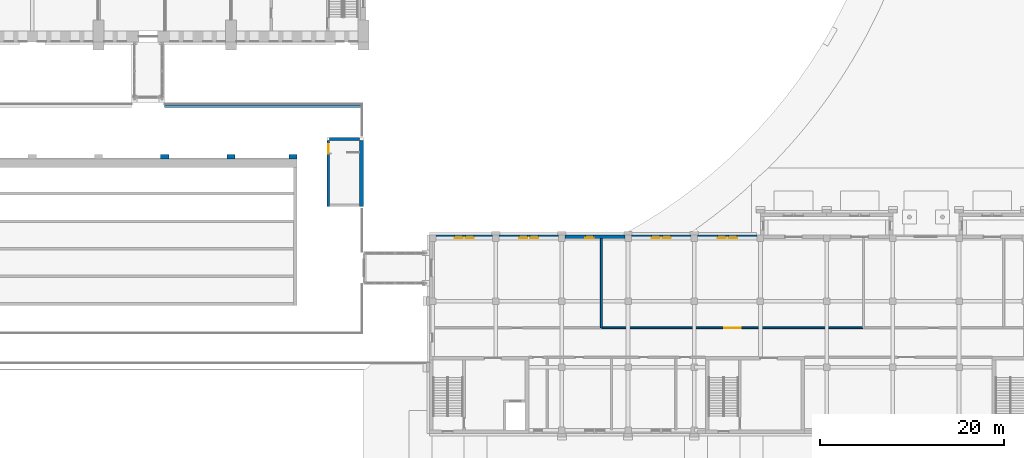
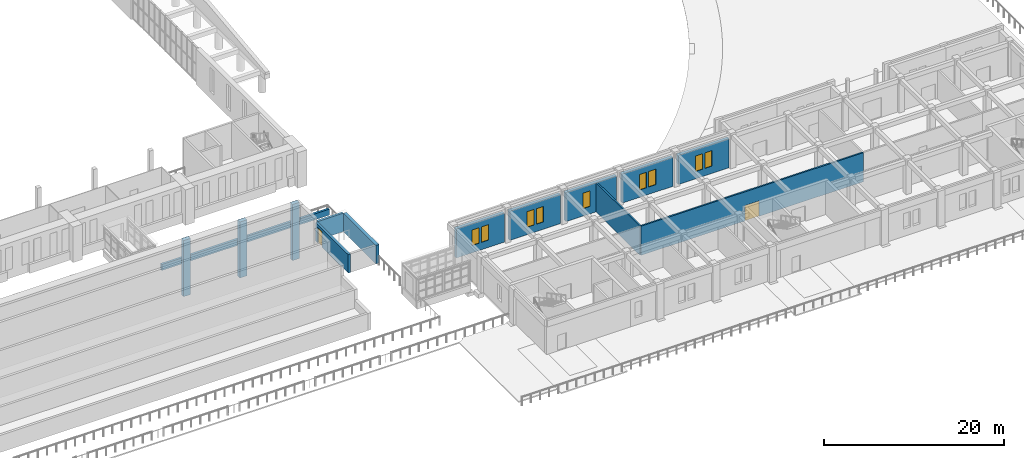
# One storey, part 90 of 131: 14 walls, 9 windows, 2 doors, 11 openings.
"""IFC4 building model written with IfcOpenShell, lengths in metres."""

from ifc_helpers import new_model, si_unit, direction, frame, frame_2d, origin, place, context, subcontext, project, spatial, rectangle, extrude, material, layer, layer_set, type_object, element, fill, save


model = new_model("IFC4")

# Units and contexts
model_context = context("Model", 3, precision=1e-05, world=origin(), true_north=direction((0.0, 1.0)))
body_context = subcontext(model_context, "Body", "Model", "MODEL_VIEW")
ifc_project = project(units=[si_unit("LENGTHUNIT", "METRE"), si_unit("AREAUNIT", "SQUARE_METRE"), si_unit("VOLUMEUNIT", "CUBIC_METRE"), si_unit("PLANEANGLEUNIT", "RADIAN"), si_unit("MASSUNIT", "GRAM", prefix="KILO")], contexts=[model_context])

# Site, building, storey
site_placement = place(None, origin())
site = spatial("IfcSite", under=ifc_project, at=site_placement, CompositionType="ELEMENT")
building_placement = place(site_placement, origin())
building = spatial("IfcBuilding", under=site, at=building_placement, Name="Alderwick Market Hall", CompositionType="ELEMENT")
storey_placement = place(building_placement, frame((0.0, 0.0, 4.800048828125)))
storey = spatial("IfcBuildingStorey", under=building, at=storey_placement, Name="L00", CompositionType="ELEMENT", Elevation=4.800048828125)

# Walls
ifc_material_1 = material(Name="Cast stone 5000 psi", Category="masonry")
ifc_layer_1 = layer(ifc_material_1, 0.300048828125)
ifc_layer_set_1 = layer_set([ifc_layer_1], Name="Cast stone 5000 psi")
wall_type_1 = type_object("IfcWallType", Name="A Cast Stone Balustrade Parapet 300", PredefinedType="SOLIDWALL", material=ifc_layer_set_1)
wall_1_placement = place(storey_placement, frame((129.60009765625, 42.800048828125, 0.0), z_axis=(0.0, 0.0, 1.0), x_axis=(1.0, 0.0, 0.0)))
element("IfcWall", 1, at=wall_1_placement, inside=storey, type_object=wall_type_1, Name="A.S.parapet.02", PredefinedType="SOLIDWALL", context=body_context, shape_type="SweptSolid", body=[
    extrude(rectangle(XDim=21.449951171875, YDim=0.300048828125, at=frame_2d((10.72509765625, 0.0))), origin(), (0.0, 0.0, 1.0), 0.800048828125),
])
ifc_material_2 = material(Name="Concrete 5000 psi (f'c 35 MPa)", Category="concrete")
ifc_layer_2 = layer(ifc_material_2, 0.89990234375)
ifc_layer_set_2 = layer_set([ifc_layer_2], Name="Concrete 5000 psi (f'c 35 MPa)")
wall_type_2 = type_object("IfcWallType", Name="A RC Bank Buttress 900", PredefinedType="SOLIDWALL", material=ifc_layer_set_2)
for number, where, z_axis, x_axis, name in (
    (2, (129.60009765625, 37.050048828125, 0.0), (0.0, 0.0, 1.0), (0.0, 1.0, 0.0), "Bank buttress"),
    (3, (136.800048828125, 37.050048828125, 0.0), (0.0, 0.0, 1.0), (0.0, 1.0, 0.0), "Bank buttress"),
    (4, (143.550048828125, 37.050048828125, 0.0), (0.0, 0.0, 1.0), (0.0, 1.0, 0.0), "Bank buttress"),
):
    element("IfcWall", number, at=place(storey_placement, frame(where, z_axis=z_axis, x_axis=x_axis)), inside=storey, type_object=wall_type_2, Name=name, PredefinedType="SOLIDWALL", context=body_context, shape_type="SweptSolid", body=[
        extrude(rectangle(XDim=0.5, YDim=0.89990234375, at=frame_2d((0.25, 0.0))), origin(), (0.0, 0.0, 1.0), 7.599853515625),
    ])
ifc_layer_3 = layer(ifc_material_2, 0.39990234375)
ifc_layer_set_3 = layer_set([ifc_layer_3], Name="Concrete 5000 psi (f'c 35 MPa)")
wall_type_3 = type_object("IfcWallType", Name="A RC Head-house End Wall 400", PredefinedType="SHEAR", material=ifc_layer_set_3)
wall_2_placement = place(storey_placement, frame((151.0, 39.10009765625, 0.0), z_axis=(0.0, 0.0, 1.0), x_axis=(0.0, -1.0, 0.0)))
element("IfcWall", 5, at=wall_2_placement, inside=storey, type_object=wall_type_3, Name="A.S.hh.E.out", PredefinedType="SHEAR", context=body_context, shape_type="SweptSolid", body=[
    extrude(rectangle(XDim=7.22021484375, YDim=0.39990234375, at=frame_2d((3.610107421875, 0.0))), origin(), (0.0, 0.0, 1.0), 2.5),
])

# Wall, opening, door
ifc_layer_4 = layer(ifc_material_2, 0.300048828125)
ifc_layer_set_4 = layer_set([ifc_layer_4], Name="Concrete 5000 psi (f'c 35 MPa)")
wall_type_4 = type_object("IfcWallType", Name="A RC Head-house Wall 300", PredefinedType="SHEAR", material=ifc_layer_set_4)
wall_3_placement = place(storey_placement, frame((147.39990234375, 39.10009765625, 0.0), z_axis=(0.0, 0.0, 1.0), x_axis=(0.0, -1.0, 0.0)))
wall_3 = element("IfcWall", 6, at=wall_3_placement, inside=storey, type_object=wall_type_4, Name="A.S.hh.E.in", PredefinedType="SHEAR", context=body_context, shape_type="SweptSolid", body=[
    extrude(rectangle(XDim=7.22021484375, YDim=0.300048828125, at=frame_2d((3.610107421875, 0.0))), origin(), (0.0, 0.0, 1.0), 2.5),
])
opening_1_placement = place(wall_3_placement, frame((0.449951171875, 0.0, 0.0)))
opening_1 = element("IfcOpeningElement", 7, at=opening_1_placement, cuts=wall_3, Name="Opening A-D098", PredefinedType="OPENING", context=body_context, shape_type="SweptSolid", body=[
    extrude(rectangle(XDim=1.0, YDim=2.10009765625, at=frame_2d((0.5, 1.050048828125))), frame((0.0, 0.159912109375, 0.0), z_axis=(0.0, -1.0, 0.0), x_axis=(1.0, 0.0, 0.0)), (0.0, 0.0, 1.0), 0.320068359375),
])
ifc_material_3 = material(Name="Hollow metal fire door and frame")
door_type_1 = type_object("IfcDoorType", Name="A Roof Access Door 1000x2100", OperationType="SINGLE_SWING_LEFT", PredefinedType="DOOR", material=ifc_material_3)
door_1_placement = place(opening_1_placement, origin())
door_1 = element("IfcDoor", 8, at=door_1_placement, inside=storey, type_object=door_type_1, Name="Roof stair head-house door", OperationType="SINGLE_SWING_RIGHT", OverallHeight=2.10009765625, OverallWidth=1.0, PredefinedType="DOOR", context=body_context, shape_type="SweptSolid", body=[
    extrude(rectangle(XDim=1.0, YDim=2.10009765625, at=frame_2d((0.5, 1.050048828125))), frame((0.0, 0.02490234375, 0.0), z_axis=(0.0, -1.0, 0.0), x_axis=(1.0, 0.0, 0.0)), (0.0, 0.0, 1.0), 0.050048828125),
])
fill(opening_1, door_1)

# Wall
wall_4_placement = place(storey_placement, frame((150.800048828125, 39.25, 0.0), z_axis=(0.0, 0.0, 1.0), x_axis=(-1.0, 0.0, 0.0)))
element("IfcWall", 9, at=wall_4_placement, inside=storey, type_object=wall_type_4, Name="A.S.hh.E.s", PredefinedType="SHEAR", context=body_context, shape_type="SweptSolid", body=[
    extrude(rectangle(XDim=3.25, YDim=0.300048828125, at=frame_2d((1.625, 0.0))), origin(), (0.0, 0.0, 1.0), 2.5),
])

# Wall, opening, door
ifc_material_4 = material(Name="Gypsum board on steel studs", Category="steel")
ifc_layer_5 = layer(ifc_material_4, 0.199951171875)
ifc_layer_set_5 = layer_set([ifc_layer_5], Name="Gypsum board on steel studs")
wall_type_5 = type_object("IfcWallType", Name="C Partition Wall 200", PredefinedType="PARTITIONING", material=ifc_layer_set_5)
wall_5_placement = place(storey_placement, frame((177.10009765625, 18.699951171875, 0.0), z_axis=(0.0, 0.0, 1.0), x_axis=(1.0, 0.0, 0.0)))
wall_5 = element("IfcWall", 10, at=wall_5_placement, inside=storey, type_object=wall_type_5, Name="C.wall.L00.part.002", PredefinedType="PARTITIONING", context=body_context, shape_type="SweptSolid", body=[
    extrude(rectangle(XDim=28.5, YDim=0.199951171875, at=frame_2d((14.25, 0.0))), origin(), (0.0, 0.0, 1.0), 3.949951171875),
])
opening_2_placement = place(wall_5_placement, frame((13.35009765625, 0.0, 0.0)))
opening_2 = element("IfcOpeningElement", 11, at=opening_2_placement, cuts=wall_5, Name="Opening C-D046", PredefinedType="OPENING", context=body_context, shape_type="SweptSolid", body=[
    extrude(rectangle(XDim=1.800048828125, YDim=2.10009765625, at=frame_2d((0.89990234375, 1.050048828125))), frame((0.0, 0.10986328125, 0.0), z_axis=(0.0, -1.0, 0.0), x_axis=(1.0, 0.0, 0.0)), (0.0, 0.0, 1.0), 0.219970703125),
])
ifc_material_5 = material(Name="Timber, solid core", Category="wood")
door_type_2 = type_object("IfcDoorType", Name="C Door Pair 1800x2100", OperationType="NOTDEFINED", PredefinedType="DOOR", material=ifc_material_5)
door_2_placement = place(opening_2_placement, origin())
door_2 = element("IfcDoor", 12, at=door_2_placement, inside=storey, type_object=door_type_2, Name="C.door.L00.046", OperationType="NOTDEFINED", OverallHeight=2.10009765625, OverallWidth=1.800048828125, PredefinedType="DOOR", context=body_context, shape_type="SweptSolid", body=[
    extrude(rectangle(XDim=1.800048828125, YDim=2.10009765625, at=frame_2d((0.89990234375, 1.050048828125))), frame((0.0, 0.02490234375, 0.0), z_axis=(0.0, -1.0, 0.0), x_axis=(1.0, 0.0, 0.0)), (0.0, 0.0, 1.0), 0.050048828125),
])
fill(opening_2, door_2)

# Wall
wall_6_placement = place(storey_placement, frame((177.10009765625, 28.39990234375, 0.0), z_axis=(0.0, 0.0, 1.0), x_axis=(0.0, -1.0, 0.0)))
element("IfcWall", 13, at=wall_6_placement, inside=storey, type_object=wall_type_5, Name="C.wall.L00.part.011", PredefinedType="PARTITIONING", context=body_context, shape_type="SweptSolid", body=[
    extrude(rectangle(XDim=9.699951171875, YDim=0.199951171875, at=frame_2d((4.85009765625, 0.0))), origin(), (0.0, 0.0, 1.0), 3.949951171875),
])

# Wall, openings, windows
ifc_layer_6 = layer(ifc_material_1, 0.39990234375)
ifc_layer_set_6 = layer_set([ifc_layer_6], Name="Cast stone 5000 psi")
wall_type_6 = type_object("IfcWallType", Name="C Rusticated Cast Stone Wall 400", PredefinedType="SOLIDWALL", material=ifc_layer_set_6)
wall_7_placement = place(storey_placement, frame((159.10009765625, 28.60009765625, 0.0), z_axis=(0.0, 0.0, 1.0), x_axis=(1.0, 0.0, 0.0)))
wall_7 = element("IfcWall", 14, at=wall_7_placement, inside=storey, type_object=wall_type_6, Name="C.wall.L00.fac.front.01", PredefinedType="SOLIDWALL", context=body_context, shape_type="SweptSolid", body=[
    extrude(rectangle(XDim=6.14990234375, YDim=0.39990234375, at=frame_2d((3.074951171875, 0.0))), origin(), (0.0, 0.0, 1.0), 3.949951171875),
])
opening_3_placement = place(wall_7_placement, frame((2.02490234375, 0.0, 1.0)))
opening_3 = element("IfcOpeningElement", 15, at=opening_3_placement, cuts=wall_7, Name="Opening C-W001", PredefinedType="OPENING", context=body_context, shape_type="SweptSolid", body=[
    extrude(rectangle(XDim=0.89990234375, YDim=2.10009765625, at=frame_2d((0.449951171875, 1.050048828125))), frame((0.0, 0.2099609375, 0.0), z_axis=(0.0, -1.0, 0.0), x_axis=(1.0, 0.0, 0.0)), (0.0, 0.0, 1.0), 0.419921875),
])
opening_4_placement = place(wall_7_placement, frame((3.22509765625, 0.0, 1.0)))
opening_4 = element("IfcOpeningElement", 16, at=opening_4_placement, cuts=wall_7, Name="Opening C-W002", PredefinedType="OPENING", context=body_context, shape_type="SweptSolid", body=[
    extrude(rectangle(XDim=0.89990234375, YDim=2.10009765625, at=frame_2d((0.449951171875, 1.050048828125))), frame((0.0, 0.2099609375, 0.0), z_axis=(0.0, -1.0, 0.0), x_axis=(1.0, 0.0, 0.0)), (0.0, 0.0, 1.0), 0.419921875),
])
ifc_material_6 = material(Name="Aluminium frame, double glazing", Category="aluminium")
window_type = type_object("IfcWindowType", Name="C Paired Base Window 900x2100", PartitioningType="SINGLE_PANEL", PredefinedType="WINDOW", material=ifc_material_6)
window_1_placement = place(opening_3_placement, origin())
window_1 = element("IfcWindow", 17, at=window_1_placement, inside=storey, type_object=window_type, Name="C.win.L00.001", OverallHeight=2.10009765625, OverallWidth=0.89990234375, PartitioningType="SINGLE_PANEL", PredefinedType="WINDOW", context=body_context, shape_type="SweptSolid", body=[
    extrude(rectangle(XDim=0.89990234375, YDim=2.10009765625, at=frame_2d((0.449951171875, 1.050048828125))), frame((0.0, -0.090087890625, 0.0), z_axis=(0.0, -1.0, 0.0), x_axis=(1.0, 0.0, 0.0)), (0.0, 0.0, 1.0), 0.06005859375),
])
fill(opening_3, window_1)
window_2_placement = place(opening_4_placement, origin())
window_2 = element("IfcWindow", 18, at=window_2_placement, inside=storey, type_object=window_type, Name="C.win.L00.002", OverallHeight=2.10009765625, OverallWidth=0.89990234375, PartitioningType="SINGLE_PANEL", PredefinedType="WINDOW", context=body_context, shape_type="SweptSolid", body=[
    extrude(rectangle(XDim=0.89990234375, YDim=2.10009765625, at=frame_2d((0.449951171875, 1.050048828125))), frame((0.0, -0.090087890625, 0.0), z_axis=(0.0, -1.0, 0.0), x_axis=(1.0, 0.0, 0.0)), (0.0, 0.0, 1.0), 0.06005859375),
])
fill(opening_4, window_2)

wall_8_placement = place(storey_placement, frame((165.949951171875, 28.60009765625, 0.0), z_axis=(0.0, 0.0, 1.0), x_axis=(1.0, 0.0, 0.0)))
wall_8 = element("IfcWall", 19, at=wall_8_placement, inside=storey, type_object=wall_type_6, Name="C.wall.L00.fac.front.02", PredefinedType="SOLIDWALL", context=body_context, shape_type="SweptSolid", body=[
    extrude(rectangle(XDim=6.5, YDim=0.39990234375, at=frame_2d((3.25, 0.0))), origin(), (0.0, 0.0, 1.0), 3.949951171875),
])
opening_5_placement = place(wall_8_placement, frame((2.199951171875, 0.0, 1.0)))
opening_5 = element("IfcOpeningElement", 20, at=opening_5_placement, cuts=wall_8, Name="Opening C-W003", PredefinedType="OPENING", context=body_context, shape_type="SweptSolid", body=[
    extrude(rectangle(XDim=0.89990234375, YDim=2.10009765625, at=frame_2d((0.449951171875, 1.050048828125))), frame((0.0, 0.2099609375, 0.0), z_axis=(0.0, -1.0, 0.0), x_axis=(1.0, 0.0, 0.0)), (0.0, 0.0, 1.0), 0.419921875),
])
opening_6_placement = place(wall_8_placement, frame((3.39990234375, 0.0, 1.0)))
opening_6 = element("IfcOpeningElement", 21, at=opening_6_placement, cuts=wall_8, Name="Opening C-W004", PredefinedType="OPENING", context=body_context, shape_type="SweptSolid", body=[
    extrude(rectangle(XDim=0.89990234375, YDim=2.10009765625, at=frame_2d((0.449951171875, 1.050048828125))), frame((0.0, 0.2099609375, 0.0), z_axis=(0.0, -1.0, 0.0), x_axis=(1.0, 0.0, 0.0)), (0.0, 0.0, 1.0), 0.419921875),
])
window_3_placement = place(opening_5_placement, origin())
window_3 = element("IfcWindow", 22, at=window_3_placement, inside=storey, type_object=window_type, Name="C.win.L00.003", OverallHeight=2.10009765625, OverallWidth=0.89990234375, PartitioningType="SINGLE_PANEL", PredefinedType="WINDOW", context=body_context, shape_type="SweptSolid", body=[
    extrude(rectangle(XDim=0.89990234375, YDim=2.10009765625, at=frame_2d((0.449951171875, 1.050048828125))), frame((0.0, -0.090087890625, 0.0), z_axis=(0.0, -1.0, 0.0), x_axis=(1.0, 0.0, 0.0)), (0.0, 0.0, 1.0), 0.06005859375),
])
fill(opening_5, window_3)
window_4_placement = place(opening_6_placement, origin())
window_4 = element("IfcWindow", 23, at=window_4_placement, inside=storey, type_object=window_type, Name="C.win.L00.004", OverallHeight=2.10009765625, OverallWidth=0.89990234375, PartitioningType="SINGLE_PANEL", PredefinedType="WINDOW", context=body_context, shape_type="SweptSolid", body=[
    extrude(rectangle(XDim=0.89990234375, YDim=2.10009765625, at=frame_2d((0.449951171875, 1.050048828125))), frame((0.0, -0.090087890625, 0.0), z_axis=(0.0, -1.0, 0.0), x_axis=(1.0, 0.0, 0.0)), (0.0, 0.0, 1.0), 0.06005859375),
])
fill(opening_6, window_4)

# Wall, opening, window
wall_9_placement = place(storey_placement, frame((173.14990234375, 28.60009765625, 0.0), z_axis=(0.0, 0.0, 1.0), x_axis=(1.0, 0.0, 0.0)))
wall_9 = element("IfcWall", 24, at=wall_9_placement, inside=storey, type_object=wall_type_6, Name="C.wall.L00.fac.front.03", PredefinedType="SOLIDWALL", context=body_context, shape_type="SweptSolid", body=[
    extrude(rectangle(XDim=6.5, YDim=0.39990234375, at=frame_2d((3.25, 0.0))), origin(), (0.0, 0.0, 1.0), 3.949951171875),
])
opening_7_placement = place(wall_9_placement, frame((2.199951171875, 0.0, 1.0)))
opening_7 = element("IfcOpeningElement", 25, at=opening_7_placement, cuts=wall_9, Name="Opening C-W005", PredefinedType="OPENING", context=body_context, shape_type="SweptSolid", body=[
    extrude(rectangle(XDim=0.89990234375, YDim=2.10009765625, at=frame_2d((0.449951171875, 1.050048828125))), frame((0.0, 0.2099609375, 0.0), z_axis=(0.0, -1.0, 0.0), x_axis=(1.0, 0.0, 0.0)), (0.0, 0.0, 1.0), 0.419921875),
])
window_5_placement = place(opening_7_placement, origin())
window_5 = element("IfcWindow", 26, at=window_5_placement, inside=storey, type_object=window_type, Name="C.win.L00.005", OverallHeight=2.10009765625, OverallWidth=0.89990234375, PartitioningType="SINGLE_PANEL", PredefinedType="WINDOW", context=body_context, shape_type="SweptSolid", body=[
    extrude(rectangle(XDim=0.89990234375, YDim=2.10009765625, at=frame_2d((0.449951171875, 1.050048828125))), frame((0.0, -0.090087890625, 0.0), z_axis=(0.0, -1.0, 0.0), x_axis=(1.0, 0.0, 0.0)), (0.0, 0.0, 1.0), 0.06005859375),
])
fill(opening_7, window_5)

# Wall, openings, windows
wall_10_placement = place(storey_placement, frame((180.35009765625, 28.60009765625, 0.0), z_axis=(0.0, 0.0, 1.0), x_axis=(1.0, 0.0, 0.0)))
wall_10 = element("IfcWall", 27, at=wall_10_placement, inside=storey, type_object=wall_type_6, Name="C.wall.L00.fac.front.04", PredefinedType="SOLIDWALL", context=body_context, shape_type="SweptSolid", body=[
    extrude(rectangle(XDim=6.5, YDim=0.39990234375, at=frame_2d((3.25, 0.0))), origin(), (0.0, 0.0, 1.0), 3.949951171875),
])
opening_8_placement = place(wall_10_placement, frame((2.199951171875, 0.0, 1.0)))
opening_8 = element("IfcOpeningElement", 28, at=opening_8_placement, cuts=wall_10, Name="Opening C-W006", PredefinedType="OPENING", context=body_context, shape_type="SweptSolid", body=[
    extrude(rectangle(XDim=0.89990234375, YDim=2.10009765625, at=frame_2d((0.449951171875, 1.050048828125))), frame((0.0, 0.2099609375, 0.0), z_axis=(0.0, -1.0, 0.0), x_axis=(1.0, 0.0, 0.0)), (0.0, 0.0, 1.0), 0.419921875),
])
opening_9_placement = place(wall_10_placement, frame((3.39990234375, 0.0, 1.0)))
opening_9 = element("IfcOpeningElement", 29, at=opening_9_placement, cuts=wall_10, Name="Opening C-W007", PredefinedType="OPENING", context=body_context, shape_type="SweptSolid", body=[
    extrude(rectangle(XDim=0.89990234375, YDim=2.10009765625, at=frame_2d((0.449951171875, 1.050048828125))), frame((0.0, 0.2099609375, 0.0), z_axis=(0.0, -1.0, 0.0), x_axis=(1.0, 0.0, 0.0)), (0.0, 0.0, 1.0), 0.419921875),
])
window_6_placement = place(opening_8_placement, origin())
window_6 = element("IfcWindow", 30, at=window_6_placement, inside=storey, type_object=window_type, Name="C.win.L00.006", OverallHeight=2.10009765625, OverallWidth=0.89990234375, PartitioningType="SINGLE_PANEL", PredefinedType="WINDOW", context=body_context, shape_type="SweptSolid", body=[
    extrude(rectangle(XDim=0.89990234375, YDim=2.10009765625, at=frame_2d((0.449951171875, 1.050048828125))), frame((0.0, -0.090087890625, 0.0), z_axis=(0.0, -1.0, 0.0), x_axis=(1.0, 0.0, 0.0)), (0.0, 0.0, 1.0), 0.06005859375),
])
fill(opening_8, window_6)
window_7_placement = place(opening_9_placement, origin())
window_7 = element("IfcWindow", 31, at=window_7_placement, inside=storey, type_object=window_type, Name="C.win.L00.007", OverallHeight=2.10009765625, OverallWidth=0.89990234375, PartitioningType="SINGLE_PANEL", PredefinedType="WINDOW", context=body_context, shape_type="SweptSolid", body=[
    extrude(rectangle(XDim=0.89990234375, YDim=2.10009765625, at=frame_2d((0.449951171875, 1.050048828125))), frame((0.0, -0.090087890625, 0.0), z_axis=(0.0, -1.0, 0.0), x_axis=(1.0, 0.0, 0.0)), (0.0, 0.0, 1.0), 0.06005859375),
])
fill(opening_9, window_7)

wall_11_placement = place(storey_placement, frame((187.550048828125, 28.60009765625, 0.0), z_axis=(0.0, 0.0, 1.0), x_axis=(1.0, 0.0, 0.0)))
wall_11 = element("IfcWall", 32, at=wall_11_placement, inside=storey, type_object=wall_type_6, Name="C.wall.L00.fac.front.05", PredefinedType="SOLIDWALL", context=body_context, shape_type="SweptSolid", body=[
    extrude(rectangle(XDim=6.5, YDim=0.39990234375, at=frame_2d((3.25, 0.0))), origin(), (0.0, 0.0, 1.0), 3.949951171875),
])
opening_10_placement = place(wall_11_placement, frame((2.199951171875, 0.0, 1.0)))
opening_10 = element("IfcOpeningElement", 33, at=opening_10_placement, cuts=wall_11, Name="Opening C-W008", PredefinedType="OPENING", context=body_context, shape_type="SweptSolid", body=[
    extrude(rectangle(XDim=0.89990234375, YDim=2.10009765625, at=frame_2d((0.449951171875, 1.050048828125))), frame((0.0, 0.2099609375, 0.0), z_axis=(0.0, -1.0, 0.0), x_axis=(1.0, 0.0, 0.0)), (0.0, 0.0, 1.0), 0.419921875),
])
opening_11_placement = place(wall_11_placement, frame((3.39990234375, 0.0, 1.0)))
opening_11 = element("IfcOpeningElement", 34, at=opening_11_placement, cuts=wall_11, Name="Opening C-W009", PredefinedType="OPENING", context=body_context, shape_type="SweptSolid", body=[
    extrude(rectangle(XDim=0.89990234375, YDim=2.10009765625, at=frame_2d((0.449951171875, 1.050048828125))), frame((0.0, 0.2099609375, 0.0), z_axis=(0.0, -1.0, 0.0), x_axis=(1.0, 0.0, 0.0)), (0.0, 0.0, 1.0), 0.419921875),
])
window_8_placement = place(opening_10_placement, origin())
window_8 = element("IfcWindow", 35, at=window_8_placement, inside=storey, type_object=window_type, Name="C.win.L00.008", OverallHeight=2.10009765625, OverallWidth=0.89990234375, PartitioningType="SINGLE_PANEL", PredefinedType="WINDOW", context=body_context, shape_type="SweptSolid", body=[
    extrude(rectangle(XDim=0.89990234375, YDim=2.10009765625, at=frame_2d((0.449951171875, 1.050048828125))), frame((0.0, -0.090087890625, 0.0), z_axis=(0.0, -1.0, 0.0), x_axis=(1.0, 0.0, 0.0)), (0.0, 0.0, 1.0), 0.06005859375),
])
fill(opening_10, window_8)
window_9_placement = place(opening_11_placement, origin())
window_9 = element("IfcWindow", 36, at=window_9_placement, inside=storey, type_object=window_type, Name="C.win.L00.009", OverallHeight=2.10009765625, OverallWidth=0.89990234375, PartitioningType="SINGLE_PANEL", PredefinedType="WINDOW", context=body_context, shape_type="SweptSolid", body=[
    extrude(rectangle(XDim=0.89990234375, YDim=2.10009765625, at=frame_2d((0.449951171875, 1.050048828125))), frame((0.0, -0.090087890625, 0.0), z_axis=(0.0, -1.0, 0.0), x_axis=(1.0, 0.0, 0.0)), (0.0, 0.0, 1.0), 0.06005859375),
])
fill(opening_11, window_9)

save(model, "model.ifc")
